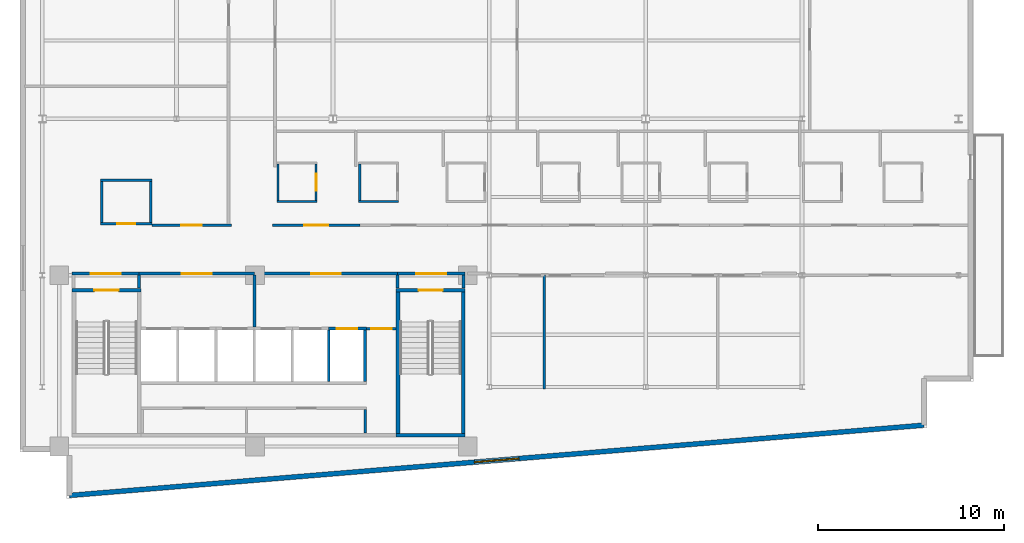
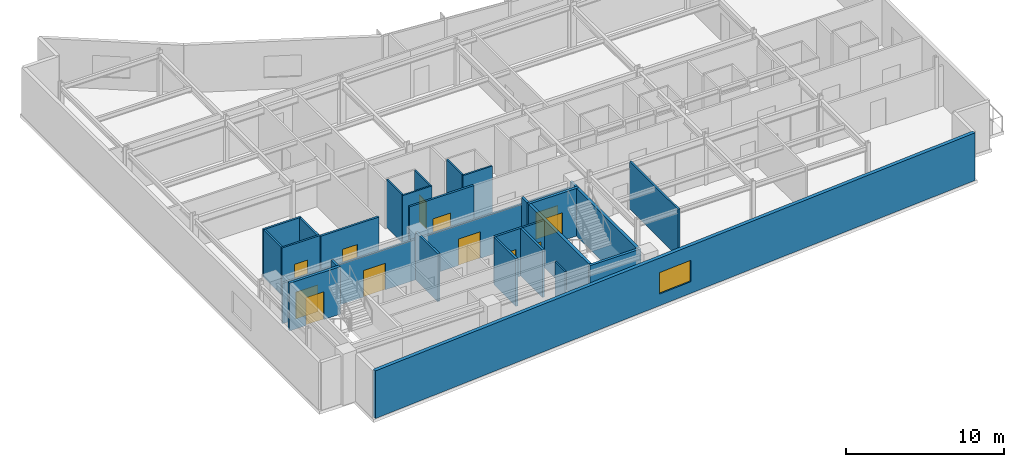
# One storey, part 9 of 15: 31 walls, 12 doors, 1 window, 13 openings.
"""IFC4 building model written with IfcOpenShell, lengths in metres."""

from ifc_helpers import new_model, si_unit, direction, frame, frame_2d, origin, place, context, subcontext, project, spatial, rectangle, extrude, material, layer, layer_set, type_object, element, fill, save


model = new_model("IFC4")

# Units and contexts
model_context = context("Model", 3, precision=1e-05, world=origin(), true_north=direction((0.0, 1.0)))
body_context = subcontext(model_context, "Body", "Model", "MODEL_VIEW")
ifc_project = project(units=[si_unit("LENGTHUNIT", "METRE"), si_unit("AREAUNIT", "SQUARE_METRE"), si_unit("VOLUMEUNIT", "CUBIC_METRE"), si_unit("PLANEANGLEUNIT", "RADIAN"), si_unit("MASSUNIT", "GRAM", prefix="KILO")], contexts=[model_context])

# Site, building, storey
site_placement = place(None, origin())
site = spatial("IfcSite", under=ifc_project, at=site_placement, CompositionType="ELEMENT")
building_placement = place(site_placement, origin())
building = spatial("IfcBuilding", under=site, at=building_placement, Name="Varnakote Quay Hospital", CompositionType="ELEMENT")
storey_placement = place(building_placement, frame((0.0, 0.0, 231.60009765625)))
storey = spatial("IfcBuildingStorey", under=building, at=storey_placement, Name="L57", CompositionType="ELEMENT", Elevation=231.60009765625)

# Wall, opening, door
ifc_material_1 = material(Name="Fire-rated acoustic gypsum stud wall", Category="gypsum")
ifc_layer_1 = layer(ifc_material_1, 0.159912109375)
ifc_layer_set_1 = layer_set([ifc_layer_1], Name="Fire-rated acoustic gypsum stud wall")
wall_type_1 = type_object("IfcWallType", Name="WL-COMP-160", PredefinedType="PARTITIONING", material=ifc_layer_set_1)
wall_1_placement = place(storey_placement, frame((2.800048828125, 12.080078125, 0.0), z_axis=(0.0, 0.0, 1.0), x_axis=(1.0, 0.0, 0.0)))
wall_1 = element("IfcWall", 1, at=wall_1_placement, inside=storey, type_object=wall_type_1, Name="L57 West Stair Vestibule Smoke Wall", PredefinedType="PARTITIONING", context=body_context, shape_type="SweptSolid", body=[
    extrude(rectangle(XDim=3.599853515625, YDim=0.159912109375, at=frame_2d((1.7998046875, 0.0))), origin(), (0.0, 0.0, 1.0), 3.11181640625),
])
opening_1_placement = place(wall_1_placement, frame((1.0, 0.0, 0.0)))
opening_1 = element("IfcOpeningElement", 2, at=opening_1_placement, cuts=wall_1, Name="Opening D-ST1L-L57", PredefinedType="OPENING", context=body_context, shape_type="SweptSolid", body=[
    extrude(rectangle(XDim=1.60009765625, YDim=2.050048828125, at=frame_2d((0.800048828125, 1.02490234375))), frame((0.0, 0.08984375, 0.0), z_axis=(0.0, -1.0, 0.0), x_axis=(1.0, 0.0, 0.0)), (0.0, 0.0, 1.0), 0.179931640625),
])
ifc_material_2 = material(Name="Fire-rated double smoke lobby door")
door_type_1 = type_object("IfcDoorType", Name="DR-LOBBY-FD60S-1600x2150", OperationType="NOTDEFINED", PredefinedType="DOOR", material=ifc_material_2)
door_1_placement = place(opening_1_placement, origin())
door_1 = element("IfcDoor", 3, at=door_1_placement, inside=storey, type_object=door_type_1, Name="L57 West Stair Vestibule Smoke Door", OperationType="DOUBLE_DOOR_SINGLE_SWING", OverallHeight=2.050048828125, OverallWidth=1.60009765625, PredefinedType="DOOR", context=body_context, shape_type="SweptSolid", body=[
    extrude(rectangle(XDim=1.60009765625, YDim=2.050048828125, at=frame_2d((0.800048828125, 1.02490234375))), frame((0.0, 0.02490234375, 0.0), z_axis=(0.0, -1.0, 0.0), x_axis=(1.0, 0.0, 0.0)), (0.0, 0.0, 1.0), 0.050048828125),
])
fill(opening_1, door_1)

# Wall
wall_2_placement = place(storey_placement, frame((6.39990234375, 11.300048828125, 0.0), z_axis=(0.0, 0.0, 1.0), x_axis=(0.0, 1.0, 0.0)))
element("IfcWall", 4, at=wall_2_placement, inside=storey, type_object=wall_type_1, Name="L57 Firefighting Lobby West Wall", PredefinedType="PARTITIONING", context=body_context, shape_type="SweptSolid", body=[
    extrude(rectangle(XDim=0.699951171875, YDim=0.159912109375, at=frame_2d((0.35009765625, 0.0))), origin(), (0.0, 0.0, 1.0), 3.669921875),
])

# Wall, opening, door
wall_3_placement = place(storey_placement, frame((6.39990234375, 12.080078125, 0.0), z_axis=(0.0, 0.0, 1.0), x_axis=(1.0, 0.0, 0.0)))
wall_3 = element("IfcWall", 5, at=wall_3_placement, inside=storey, type_object=wall_type_1, Name="L57 Firefighting Lift Lobby Compartment Wall", PredefinedType="PARTITIONING", context=body_context, shape_type="SweptSolid", body=[
    extrude(rectangle(XDim=6.18017578125, YDim=0.159912109375, at=frame_2d((3.090087890625, 0.0))), origin(), (0.0, 0.0, 1.0), 3.11181640625),
])
opening_2_placement = place(wall_3_placement, frame((2.2900390625, 0.0, 0.0)))
opening_2 = element("IfcOpeningElement", 6, at=opening_2_placement, cuts=wall_3, Name="Opening D-FFL-L57", PredefinedType="OPENING", context=body_context, shape_type="SweptSolid", body=[
    extrude(rectangle(XDim=1.60009765625, YDim=2.050048828125, at=frame_2d((0.800048828125, 1.02490234375))), frame((0.0, 0.08984375, 0.0), z_axis=(0.0, -1.0, 0.0), x_axis=(1.0, 0.0, 0.0)), (0.0, 0.0, 1.0), 0.179931640625),
])
door_2_placement = place(opening_2_placement, origin())
door_2 = element("IfcDoor", 7, at=door_2_placement, inside=storey, type_object=door_type_1, Name="L57 Firefighting Smoke Vestibule Door", OperationType="DOUBLE_DOOR_SINGLE_SWING", OverallHeight=2.050048828125, OverallWidth=1.60009765625, PredefinedType="DOOR", context=body_context, shape_type="SweptSolid", body=[
    extrude(rectangle(XDim=1.60009765625, YDim=2.050048828125, at=frame_2d((0.800048828125, 1.02490234375))), frame((0.0, 0.02490234375, 0.0), z_axis=(0.0, -1.0, 0.0), x_axis=(1.0, 0.0, 0.0)), (0.0, 0.0, 1.0), 0.050048828125),
])
fill(opening_2, door_2)

# Wall
wall_4_placement = place(storey_placement, frame((12.580078125, 9.2099609375, 0.0), z_axis=(0.0, 0.0, 1.0), x_axis=(0.0, 1.0, 0.0)))
element("IfcWall", 8, at=wall_4_placement, inside=storey, type_object=wall_type_1, Name="L57 Firefighting to Service Lobby Wall", PredefinedType="PARTITIONING", context=body_context, shape_type="SweptSolid", body=[
    extrude(rectangle(XDim=2.7900390625, YDim=0.159912109375, at=frame_2d((1.39501953125, 0.0))), origin(), (0.0, 0.0, 1.0), 3.669921875),
])

# Wall, opening, door
wall_5_placement = place(storey_placement, frame((12.580078125, 12.080078125, 0.0), z_axis=(0.0, 0.0, 1.0), x_axis=(1.0, 0.0, 0.0)))
wall_5 = element("IfcWall", 9, at=wall_5_placement, inside=storey, type_object=wall_type_1, Name="L57 Clinical Bed Lift Lobby Wall", PredefinedType="PARTITIONING", context=body_context, shape_type="SweptSolid", body=[
    extrude(rectangle(XDim=7.699951171875, YDim=0.159912109375, at=frame_2d((3.85009765625, 0.0))), origin(), (0.0, 0.0, 1.0), 3.11181640625),
])
opening_3_placement = place(wall_5_placement, frame((3.050048828125, 0.0, 0.0)))
opening_3 = element("IfcOpeningElement", 10, at=opening_3_placement, cuts=wall_5, Name="Opening D-SVL-L57", PredefinedType="OPENING", context=body_context, shape_type="SweptSolid", body=[
    extrude(rectangle(XDim=1.60009765625, YDim=2.050048828125, at=frame_2d((0.800048828125, 1.02490234375))), frame((0.0, 0.08984375, 0.0), z_axis=(0.0, -1.0, 0.0), x_axis=(1.0, 0.0, 0.0)), (0.0, 0.0, 1.0), 0.179931640625),
])
door_3_placement = place(opening_3_placement, origin())
door_3 = element("IfcDoor", 11, at=door_3_placement, inside=storey, type_object=door_type_1, Name="L57 Clinical Core Smoke Vestibule Door", OperationType="DOUBLE_DOOR_SINGLE_SWING", OverallHeight=2.050048828125, OverallWidth=1.60009765625, PredefinedType="DOOR", context=body_context, shape_type="SweptSolid", body=[
    extrude(rectangle(XDim=1.60009765625, YDim=2.050048828125, at=frame_2d((0.800048828125, 1.02490234375))), frame((0.0, 0.02490234375, 0.0), z_axis=(0.0, -1.0, 0.0), x_axis=(1.0, 0.0, 0.0)), (0.0, 0.0, 1.0), 0.050048828125),
])
fill(opening_3, door_3)

# Wall
wall_6_placement = place(storey_placement, frame((20.280029296875, 11.300048828125, 0.0), z_axis=(0.0, 0.0, 1.0), x_axis=(0.0, 1.0, 0.0)))
element("IfcWall", 12, at=wall_6_placement, inside=storey, type_object=wall_type_1, Name="L57 East Stair Vestibule Divider Wall", PredefinedType="PARTITIONING", context=body_context, shape_type="SweptSolid", body=[
    extrude(rectangle(XDim=0.699951171875, YDim=0.159912109375, at=frame_2d((0.35009765625, 0.0))), origin(), (0.0, 0.0, 1.0), 3.669921875),
])

# Wall, opening, door
wall_7_placement = place(storey_placement, frame((20.280029296875, 12.080078125, 0.0), z_axis=(0.0, 0.0, 1.0), x_axis=(1.0, 0.0, 0.0)))
wall_7 = element("IfcWall", 13, at=wall_7_placement, inside=storey, type_object=wall_type_1, Name="L57 East Stair Vestibule Smoke Wall", PredefinedType="PARTITIONING", context=body_context, shape_type="SweptSolid", body=[
    extrude(rectangle(XDim=3.619873046875, YDim=0.159912109375, at=frame_2d((1.81005859375, 0.0))), origin(), (0.0, 0.0, 1.0), 3.11181640625),
])
opening_4_placement = place(wall_7_placement, frame((1.010009765625, 0.0, 0.0)))
opening_4 = element("IfcOpeningElement", 14, at=opening_4_placement, cuts=wall_7, Name="Opening D-ST2L-L57", PredefinedType="OPENING", context=body_context, shape_type="SweptSolid", body=[
    extrude(rectangle(XDim=1.60009765625, YDim=2.050048828125, at=frame_2d((0.800048828125, 1.02490234375))), frame((0.0, 0.08984375, 0.0), z_axis=(0.0, -1.0, 0.0), x_axis=(1.0, 0.0, 0.0)), (0.0, 0.0, 1.0), 0.179931640625),
])
door_4_placement = place(opening_4_placement, origin())
door_4 = element("IfcDoor", 15, at=door_4_placement, inside=storey, type_object=door_type_1, Name="L57 East Stair Vestibule Smoke Door", OperationType="DOUBLE_DOOR_SINGLE_SWING", OverallHeight=2.050048828125, OverallWidth=1.60009765625, PredefinedType="DOOR", context=body_context, shape_type="SweptSolid", body=[
    extrude(rectangle(XDim=1.60009765625, YDim=2.050048828125, at=frame_2d((0.800048828125, 1.02490234375))), frame((0.0, 0.02490234375, 0.0), z_axis=(0.0, -1.0, 0.0), x_axis=(1.0, 0.0, 0.0)), (0.0, 0.0, 1.0), 0.050048828125),
])
fill(opening_4, door_4)

# Walls
wall_8_placement = place(storey_placement, frame((23.820068359375, 11.300048828125, 0.0), z_axis=(0.0, 0.0, 1.0), x_axis=(0.0, 1.0, 0.0)))
element("IfcWall", 16, at=wall_8_placement, inside=storey, type_object=wall_type_1, Name="L57 East Stair Vestibule East Wall", PredefinedType="PARTITIONING", context=body_context, shape_type="SweptSolid", body=[
    extrude(rectangle(XDim=0.699951171875, YDim=0.159912109375, at=frame_2d((0.35009765625, 0.0))), origin(), (0.0, 0.0, 1.0), 3.669921875),
])
ifc_material_3 = material(Name="Moisture-resistant bathroom partition", Category="gypsum")
ifc_layer_2 = layer(ifc_material_3, 0.114990234375)
ifc_layer_set_2 = layer_set([ifc_layer_2], Name="Moisture-resistant bathroom partition")
wall_type_2 = type_object("IfcWallType", Name="WL-ENS-115", PredefinedType="PARTITIONING", material=ifc_layer_set_2)
wall_9_placement = place(storey_placement, frame((13.804931640625, 15.952392578125, 0.0), z_axis=(0.0, 0.0, 1.0), x_axis=(1.0, 0.0, 0.0)))
element("IfcWall", 17, at=wall_9_placement, inside=storey, type_object=wall_type_2, Name="L57 Inpatient En-Suite Bathroom 01 S Wall", PredefinedType="PARTITIONING", context=body_context, shape_type="SweptSolid", body=[
    extrude(rectangle(XDim=2.150146484375, YDim=0.114990234375, at=frame_2d((1.0751953125, 0.0))), origin(), (0.0, 0.0, 1.0), 3.669921875),
])
wall_10_placement = place(storey_placement, frame((13.862548828125, 16.010009765625, 0.0), z_axis=(0.0, 0.0, 1.0), x_axis=(0.0, 1.0, 0.0)))
element("IfcWall", 18, at=wall_10_placement, inside=storey, type_object=wall_type_2, Name="L57 Inpatient En-Suite Bathroom 01 W Wall", PredefinedType="PARTITIONING", context=body_context, shape_type="SweptSolid", body=[
    extrude(rectangle(XDim=1.949951171875, YDim=0.114990234375, at=frame_2d((0.97509765625, 0.0))), origin(), (0.0, 0.0, 1.0), 3.669921875),
])

# Wall, opening, door
wall_11_placement = place(storey_placement, frame((15.8974609375, 16.010009765625, 0.0), z_axis=(0.0, 0.0, 1.0), x_axis=(0.0, 1.0, 0.0)))
wall_11 = element("IfcWall", 19, at=wall_11_placement, inside=storey, type_object=wall_type_2, Name="L57 Inpatient En-Suite Bathroom 01 E Wall", PredefinedType="PARTITIONING", context=body_context, shape_type="SweptSolid", body=[
    extrude(rectangle(XDim=1.949951171875, YDim=0.114990234375, at=frame_2d((0.97509765625, 0.0))), origin(), (0.0, 0.0, 1.0), 3.669921875),
])
opening_5_placement = place(wall_11_placement, frame((0.514892578125, 0.0, 0.0)))
opening_5 = element("IfcOpeningElement", 20, at=opening_5_placement, cuts=wall_11, Name="Opening D-L57-ENS01", PredefinedType="OPENING", context=body_context, shape_type="SweptSolid", body=[
    extrude(rectangle(XDim=0.919921875, YDim=2.10009765625, at=frame_2d((0.4599609375, 1.050048828125))), frame((0.0, 0.0673828125, 0.0), z_axis=(0.0, -1.0, 0.0), x_axis=(1.0, 0.0, 0.0)), (0.0, 0.0, 1.0), 0.135009765625),
])
ifc_material_4 = material(Name="Moisture-sealed en-suite bathroom door")
door_type_2 = type_object("IfcDoorType", Name="DR-ENS-920x2100", OperationType="NOTDEFINED", PredefinedType="DOOR", material=ifc_material_4)
door_5_placement = place(opening_5_placement, origin())
door_5 = element("IfcDoor", 21, at=door_5_placement, inside=storey, type_object=door_type_2, Name="L57 Inpatient En-Suite Bathroom 01 Door", OperationType="SINGLE_SWING_LEFT", OverallHeight=2.10009765625, OverallWidth=0.919921875, PredefinedType="DOOR", context=body_context, shape_type="SweptSolid", body=[
    extrude(rectangle(XDim=0.919921875, YDim=2.10009765625, at=frame_2d((0.4599609375, 1.050048828125))), frame((0.0, 0.02490234375, 0.0), z_axis=(0.0, -1.0, 0.0), x_axis=(1.0, 0.0, 0.0)), (0.0, 0.0, 1.0), 0.050048828125),
])
fill(opening_5, door_5)

# Walls
wall_12_placement = place(storey_placement, frame((18.18505859375, 15.952392578125, 0.0), z_axis=(0.0, 0.0, 1.0), x_axis=(1.0, 0.0, 0.0)))
element("IfcWall", 22, at=wall_12_placement, inside=storey, type_object=wall_type_2, Name="L57 Inpatient En-Suite Bathroom 02 S Wall", PredefinedType="PARTITIONING", context=body_context, shape_type="SweptSolid", body=[
    extrude(rectangle(XDim=2.14990234375, YDim=0.114990234375, at=frame_2d((1.074951171875, 0.0))), origin(), (0.0, 0.0, 1.0), 3.669921875),
])
wall_13_placement = place(storey_placement, frame((18.242431640625, 16.010009765625, 0.0), z_axis=(0.0, 0.0, 1.0), x_axis=(0.0, 1.0, 0.0)))
element("IfcWall", 23, at=wall_13_placement, inside=storey, type_object=wall_type_2, Name="L57 Inpatient En-Suite Bathroom 02 W Wall", PredefinedType="PARTITIONING", context=body_context, shape_type="SweptSolid", body=[
    extrude(rectangle(XDim=1.949951171875, YDim=0.114990234375, at=frame_2d((0.97509765625, 0.0))), origin(), (0.0, 0.0, 1.0), 3.669921875),
])

# Wall, opening, window
ifc_material_5 = material(Name="Precast concrete N50 (f'c 50 MPa)", Category="concrete")
ifc_layer_3 = layer(ifc_material_5, 0.260009765625)
ifc_layer_set_3 = layer_set([ifc_layer_3], Name="Precast concrete N50 (f'c 50 MPa)")
wall_type_3 = type_object("IfcWallType", Name="WL-EXT-BRICK-260", PredefinedType="STANDARD", material=ifc_layer_set_3)
wall_14_placement = place(storey_placement, frame((2.659912109375, 0.173583984375, 0.0), z_axis=(0.0, 0.0, 1.0), x_axis=(0.996634028439, 0.081979347142, 0.0)))
wall_14 = element("IfcWall", 24, at=wall_14_placement, inside=storey, type_object=wall_type_3, Name="L57 Brick-Faced Precast Exterior Wall", PredefinedType="STANDARD", context=body_context, shape_type="SweptSolid", body=[
    extrude(rectangle(XDim=46.03515625, YDim=0.260009765625, at=frame_2d((23.017578125, 0.0))), origin(), (0.0, 0.0, 1.0), 3.669921875),
])
opening_6_placement = place(wall_14_placement, frame((21.8173828125, 0.0, 0.89990234375)))
opening_6 = element("IfcOpeningElement", 25, at=opening_6_placement, cuts=wall_14, Name="Opening WN-0234", PredefinedType="OPENING", context=body_context, shape_type="SweptSolid", body=[
    extrude(rectangle(XDim=2.39990234375, YDim=1.64990234375, at=frame_2d((1.199951171875, 0.824951171875))), frame((0.0, 0.139892578125, 0.0), z_axis=(0.0, -1.0, 0.0), x_axis=(1.0, 0.0, 0.0)), (0.0, 0.0, 1.0), 0.280029296875),
])
ifc_material_6 = material(Name="Double-glazed low-E solar glass", Category="glass")
window_type = type_object("IfcWindowType", Name="WIN-CLIN-2400x1650", PartitioningType="SINGLE_PANEL", PredefinedType="WINDOW", material=ifc_material_6)
window_placement = place(opening_6_placement, origin())
window = element("IfcWindow", 26, at=window_placement, inside=storey, type_object=window_type, Name="L57 Solar-Control Clinical Window", OverallHeight=1.64990234375, OverallWidth=2.39990234375, PartitioningType="SINGLE_PANEL", PredefinedType="WINDOW", context=body_context, shape_type="SweptSolid", body=[
    extrude(rectangle(XDim=2.39990234375, YDim=1.64990234375, at=frame_2d((1.199951171875, 0.824951171875))), frame((0.0, 0.030029296875, 0.0), z_axis=(0.0, -1.0, 0.0), x_axis=(1.0, 0.0, 0.0)), (0.0, 0.0, 1.0), 0.06005859375),
])
fill(opening_6, window)

# Walls
ifc_material_7 = material(Name="Concrete N50 (f'c 50 MPa)", Category="concrete")
ifc_layer_4 = layer(ifc_material_7, 0.14990234375)
ifc_layer_set_4 = layer_set([ifc_layer_4], Name="Concrete N50 (f'c 50 MPa)")
wall_type_4 = type_object("IfcWallType", Name="WL-SHAFT-N50-150", PredefinedType="SHEAR", material=ifc_layer_set_4)
wall_15_placement = place(storey_placement, frame((16.574951171875, 6.300048828125, 0.0), z_axis=(0.0, 0.0, 1.0), x_axis=(0.0, 1.0, 0.0)))
element("IfcWall", 27, at=wall_15_placement, inside=storey, type_object=wall_type_4, Name="L57 LF-PH1 Hoistway Divider Wall", PredefinedType="SHEAR", context=body_context, shape_type="SweptSolid", body=[
    extrude(rectangle(XDim=2.75, YDim=0.14990234375, at=frame_2d((1.375, 0.0))), origin(), (0.0, 0.0, 1.0), 3.669921875),
])
ifc_material_8 = material(Name="Concrete N50 (f'c 50 MPa)", Category="concrete")
ifc_layer_5 = layer(ifc_material_8, 0.159912109375)
ifc_layer_set_5 = layer_set([ifc_layer_5], Name="Concrete N50 (f'c 50 MPa)")
wall_type_5 = type_object("IfcWallType", Name="WL-SHAFT-N50-160", PredefinedType="SHEAR", material=ifc_layer_set_5)
wall_16_placement = place(storey_placement, frame((18.530029296875, 6.300048828125, 0.0), z_axis=(0.0, 0.0, 1.0), x_axis=(0.0, 1.0, 0.0)))
element("IfcWall", 28, at=wall_16_placement, inside=storey, type_object=wall_type_5, Name="L57 REAR Lift Bank East Shear Wall", PredefinedType="SHEAR", context=body_context, shape_type="SweptSolid", body=[
    extrude(rectangle(XDim=2.75, YDim=0.159912109375, at=frame_2d((1.375, 0.0))), origin(), (0.0, 0.0, 1.0), 3.669921875),
])

# Wall, opening, door
wall_17_placement = place(storey_placement, frame((16.574951171875, 9.1298828125, 0.0), z_axis=(0.0, 0.0, 1.0), x_axis=(1.0, 0.0, 0.0)))
wall_17 = element("IfcWall", 29, at=wall_17_placement, inside=storey, type_object=wall_type_5, Name="L57 LF-PH2 Hoistway Front Wall", PredefinedType="SHEAR", context=body_context, shape_type="SweptSolid", body=[
    extrude(rectangle(XDim=2.03515625, YDim=0.159912109375, at=frame_2d((1.017578125, 0.0))), origin(), (0.0, 0.0, 1.0), 3.669921875),
])
opening_7_placement = place(wall_17_placement, frame((0.425048828125, 0.0, 0.0)))
opening_7 = element("IfcOpeningElement", 30, at=opening_7_placement, cuts=wall_17, Name="Opening LD-PH2-L57", PredefinedType="OPENING", context=body_context, shape_type="SweptSolid", body=[
    extrude(rectangle(XDim=1.10009765625, YDim=2.14990234375, at=frame_2d((0.550048828125, 1.074951171875))), frame((0.0, 0.08984375, 0.0), z_axis=(0.0, -1.0, 0.0), x_axis=(1.0, 0.0, 0.0)), (0.0, 0.0, 1.0), 0.179931640625),
])
ifc_material_9 = material(Name="Brushed bronze lift landing sliding door")
door_type_3 = type_object("IfcDoorType", Name="DR-LIFT-LD-1100x2150", OperationType="NOTDEFINED", PredefinedType="DOOR", material=ifc_material_9)
door_6_placement = place(opening_7_placement, origin())
door_6 = element("IfcDoor", 31, at=door_6_placement, inside=storey, type_object=door_type_3, Name="L57 LF-PH2 Lift Landing Sliding Door", OperationType="SLIDING_TO_LEFT", OverallHeight=2.14990234375, OverallWidth=1.10009765625, PredefinedType="DOOR", context=body_context, shape_type="SweptSolid", body=[
    extrude(rectangle(XDim=1.10009765625, YDim=2.14990234375, at=frame_2d((0.550048828125, 1.074951171875))), frame((0.0, 0.02490234375, 0.0), z_axis=(0.0, -1.0, 0.0), x_axis=(1.0, 0.0, 0.0)), (0.0, 0.0, 1.0), 0.050048828125),
])
fill(opening_7, door_6)

ifc_material_10 = material(Name="Concrete N50 (f'c 50 MPa)", Category="concrete")
ifc_layer_6 = layer(ifc_material_10, 0.199951171875)
ifc_layer_set_6 = layer_set([ifc_layer_6], Name="Concrete N50 (f'c 50 MPa)")
wall_type_6 = type_object("IfcWallType", Name="WL-SHAFT-N50-200", PredefinedType="SHEAR", material=ifc_layer_set_6)
wall_18_placement = place(storey_placement, frame((2.800048828125, 11.199951171875, 0.0), z_axis=(0.0, 0.0, 1.0), x_axis=(1.0, 0.0, 0.0)))
wall_18 = element("IfcWall", 32, at=wall_18_placement, inside=storey, type_object=wall_type_6, Name="L57 Stair ST1 Exit Wall", PredefinedType="SHEAR", context=body_context, shape_type="SweptSolid", body=[
    extrude(rectangle(XDim=3.699951171875, YDim=0.199951171875, at=frame_2d((1.85009765625, 0.0))), origin(), (0.0, 0.0, 1.0), 3.669921875),
])
opening_8_placement = place(wall_18_placement, frame((1.199951171875, 0.0, 0.0)))
opening_8 = element("IfcOpeningElement", 33, at=opening_8_placement, cuts=wall_18, Name="Opening D-ST1-L57", PredefinedType="OPENING", context=body_context, shape_type="SweptSolid", body=[
    extrude(rectangle(XDim=1.300048828125, YDim=2.14990234375, at=frame_2d((0.64990234375, 1.074951171875))), frame((0.0, 0.10986328125, 0.0), z_axis=(0.0, -1.0, 0.0), x_axis=(1.0, 0.0, 0.0)), (0.0, 0.0, 1.0), 0.219970703125),
])
ifc_material_11 = material(Name="Fire-rated ceramic-glazed timber exit door", Category="wood")
door_type_4 = type_object("IfcDoorType", Name="DR-STAIR-FD60S-1300x2150", OperationType="NOTDEFINED", PredefinedType="DOOR", material=ifc_material_11)
door_7_placement = place(opening_8_placement, origin())
door_7 = element("IfcDoor", 34, at=door_7_placement, inside=storey, type_object=door_type_4, Name="L57 Stair ST1 Fire Exit Door", OperationType="SINGLE_SWING_LEFT", OverallHeight=2.14990234375, OverallWidth=1.300048828125, PredefinedType="DOOR", context=body_context, shape_type="SweptSolid", body=[
    extrude(rectangle(XDim=1.300048828125, YDim=2.14990234375, at=frame_2d((0.64990234375, 1.074951171875))), frame((0.0, 0.02490234375, 0.0), z_axis=(0.0, -1.0, 0.0), x_axis=(1.0, 0.0, 0.0)), (0.0, 0.0, 1.0), 0.050048828125),
])
fill(opening_8, door_7)

# Walls
wall_19_placement = place(storey_placement, frame((20.199951171875, 3.39990234375, 0.0), z_axis=(0.0, 0.0, 1.0), x_axis=(1.0, 0.0, 0.0)))
element("IfcWall", 35, at=wall_19_placement, inside=storey, type_object=wall_type_6, Name="L57 Stair ST2 South Shaft Wall", PredefinedType="SHEAR", context=body_context, shape_type="SweptSolid", body=[
    extrude(rectangle(XDim=3.699951171875, YDim=0.199951171875, at=frame_2d((1.85009765625, 0.0))), origin(), (0.0, 0.0, 1.0), 3.669921875),
])
for number, where, z_axis, x_axis, name in (
    (36, (20.300048828125, 3.5, 0.0), (0.0, 0.0, 1.0), (0.0, 1.0, 0.0), "L57 Stair ST2 West Shaft Wall"),
    (37, (23.800048828125, 3.5, 0.0), (0.0, 0.0, 1.0), (0.0, 1.0, 0.0), "L57 Stair ST2 East Shaft Wall"),
):
    element("IfcWall", number, at=place(storey_placement, frame(where, z_axis=z_axis, x_axis=x_axis)), inside=storey, type_object=wall_type_6, Name=name, PredefinedType="SHEAR", context=body_context, shape_type="SweptSolid", body=[
        extrude(rectangle(XDim=7.60009765625, YDim=0.199951171875, at=frame_2d((3.800048828125, 0.0))), origin(), (0.0, 0.0, 1.0), 3.669921875),
    ])

# Wall, opening, door
wall_20_placement = place(storey_placement, frame((20.199951171875, 11.199951171875, 0.0), z_axis=(0.0, 0.0, 1.0), x_axis=(1.0, 0.0, 0.0)))
wall_20 = element("IfcWall", 38, at=wall_20_placement, inside=storey, type_object=wall_type_6, Name="L57 Stair ST2 Exit Wall", PredefinedType="SHEAR", context=body_context, shape_type="SweptSolid", body=[
    extrude(rectangle(XDim=3.699951171875, YDim=0.199951171875, at=frame_2d((1.85009765625, 0.0))), origin(), (0.0, 0.0, 1.0), 3.669921875),
])
opening_9_placement = place(wall_20_placement, frame((1.199951171875, 0.0, 0.0)))
opening_9 = element("IfcOpeningElement", 39, at=opening_9_placement, cuts=wall_20, Name="Opening D-ST2-L57", PredefinedType="OPENING", context=body_context, shape_type="SweptSolid", body=[
    extrude(rectangle(XDim=1.300048828125, YDim=2.14990234375, at=frame_2d((0.64990234375, 1.074951171875))), frame((0.0, 0.10986328125, 0.0), z_axis=(0.0, -1.0, 0.0), x_axis=(1.0, 0.0, 0.0)), (0.0, 0.0, 1.0), 0.219970703125),
])
door_8_placement = place(opening_9_placement, origin())
door_8 = element("IfcDoor", 40, at=door_8_placement, inside=storey, type_object=door_type_4, Name="L57 Stair ST2 Fire Exit Door", OperationType="SINGLE_SWING_RIGHT", OverallHeight=2.14990234375, OverallWidth=1.300048828125, PredefinedType="DOOR", context=body_context, shape_type="SweptSolid", body=[
    extrude(rectangle(XDim=1.300048828125, YDim=2.14990234375, at=frame_2d((0.64990234375, 1.074951171875))), frame((0.0, 0.02490234375, 0.0), z_axis=(0.0, -1.0, 0.0), x_axis=(1.0, 0.0, 0.0)), (0.0, 0.0, 1.0), 0.050048828125),
])
fill(opening_9, door_8)

# Walls
ifc_material_12 = material(Name="Smoke-proof clinical partition", Category="gypsum")
ifc_layer_7 = layer(ifc_material_12, 0.1201171875)
ifc_layer_set_7 = layer_set([ifc_layer_7], Name="Smoke-proof clinical partition")
wall_type_7 = type_object("IfcWallType", Name="WL-SMOKE-120", PredefinedType="PARTITIONING", material=ifc_layer_set_7)
wall_21_placement = place(storey_placement, frame((18.5400390625, 3.52001953125, 0.0), z_axis=(0.0, 0.0, 1.0), x_axis=(0.0, 1.0, 0.0)))
element("IfcWall", 41, at=wall_21_placement, inside=storey, type_object=wall_type_7, Name="L57 Core South Service East Wall", PredefinedType="PARTITIONING", context=body_context, shape_type="SweptSolid", body=[
    extrude(rectangle(XDim=1.260009765625, YDim=0.1201171875, at=frame_2d((0.6298828125, 0.0))), origin(), (0.0, 0.0, 1.0), 3.669921875),
])
ifc_material_13 = material(Name="Smoke-proof clinical partition", Category="gypsum")
ifc_layer_8 = layer(ifc_material_13, 0.135009765625)
ifc_layer_set_8 = layer_set([ifc_layer_8], Name="Smoke-proof clinical partition")
wall_type_8 = type_object("IfcWallType", Name="WL-SMOKE-135", PredefinedType="PARTITIONING", material=ifc_layer_set_8)
wall_22_placement = place(storey_placement, frame((28.159912109375, 5.89990234375, 0.0), z_axis=(0.0, 0.0, 1.0), x_axis=(0.0, 1.0, 0.0)))
element("IfcWall", 42, at=wall_22_placement, inside=storey, type_object=wall_type_8, Name="L57 Clinical Interior Partition", PredefinedType="PARTITIONING", context=body_context, shape_type="SweptSolid", body=[
    extrude(rectangle(XDim=6.10009765625, YDim=0.135009765625, at=frame_2d((3.050048828125, 0.0))), origin(), (0.0, 0.0, 1.0), 3.669921875),
])

# Wall, opening, door
ifc_material_14 = material(Name="Fire-rated clinical gypsum partition", Category="gypsum")
ifc_layer_9 = layer(ifc_material_14, 0.139892578125)
ifc_layer_set_9 = layer_set([ifc_layer_9], Name="Fire-rated clinical gypsum partition")
wall_type_9 = type_object("IfcWallType", Name="WL-WARD-140", PredefinedType="PARTITIONING", material=ifc_layer_set_9)
wall_23_placement = place(storey_placement, frame((18.610107421875, 9.1298828125, 0.0), z_axis=(0.0, 0.0, 1.0), x_axis=(1.0, 0.0, 0.0)))
wall_23 = element("IfcWall", 43, at=wall_23_placement, inside=storey, type_object=wall_type_9, Name="L57 Core Service Corridor North Door Wall", PredefinedType="PARTITIONING", context=body_context, shape_type="SweptSolid", body=[
    extrude(rectangle(XDim=1.58984375, YDim=0.139892578125, at=frame_2d((0.794921875, 0.0))), origin(), (0.0, 0.0, 1.0), 3.669921875),
])
opening_10_placement = place(wall_23_placement, frame((0.239990234375, 0.0, 0.0)))
opening_10 = element("IfcOpeningElement", 44, at=opening_10_placement, cuts=wall_23, Name="Opening D-CSRV-L57", PredefinedType="OPENING", context=body_context, shape_type="SweptSolid", body=[
    extrude(rectangle(XDim=1.10009765625, YDim=2.10009765625, at=frame_2d((0.550048828125, 1.050048828125))), frame((0.0, 0.079833984375, 0.0), z_axis=(0.0, -1.0, 0.0), x_axis=(1.0, 0.0, 0.0)), (0.0, 0.0, 1.0), 0.159912109375),
])
ifc_material_15 = material(Name="Acoustic timber clinical consult door", Category="wood")
door_type_5 = type_object("IfcDoorType", Name="DR-CLIN-FD30S-1100x2100", OperationType="NOTDEFINED", PredefinedType="DOOR", material=ifc_material_15)
door_9_placement = place(opening_10_placement, origin())
door_9 = element("IfcDoor", 45, at=door_9_placement, inside=storey, type_object=door_type_5, Name="L57 Core Service Corridor Door", OperationType="SINGLE_SWING_LEFT", OverallHeight=2.10009765625, OverallWidth=1.10009765625, PredefinedType="DOOR", context=body_context, shape_type="SweptSolid", body=[
    extrude(rectangle(XDim=1.10009765625, YDim=2.10009765625, at=frame_2d((0.550048828125, 1.050048828125))), frame((0.0, 0.02490234375, 0.0), z_axis=(0.0, -1.0, 0.0), x_axis=(1.0, 0.0, 0.0)), (0.0, 0.0, 1.0), 0.050048828125),
])
fill(opening_10, door_9)

wall_24_placement = place(storey_placement, frame((4.31005859375, 14.77001953125, 0.0), z_axis=(0.0, 0.0, 1.0), x_axis=(1.0, 0.0, 0.0)))
wall_24 = element("IfcWall", 46, at=wall_24_placement, inside=storey, type_object=wall_type_9, Name="L57 Floor Unisex Accessible WC S Wall", PredefinedType="PARTITIONING", context=body_context, shape_type="SweptSolid", body=[
    extrude(rectangle(XDim=2.780029296875, YDim=0.139892578125, at=frame_2d((1.39013671875, 0.0))), origin(), (0.0, 0.0, 1.0), 3.669921875),
])
opening_11_placement = place(wall_24_placement, frame((0.89990234375, 0.0, 0.0)))
opening_11 = element("IfcOpeningElement", 47, at=opening_11_placement, cuts=wall_24, Name="Opening D-L57-EW01", PredefinedType="OPENING", context=body_context, shape_type="SweptSolid", body=[
    extrude(rectangle(XDim=0.97998046875, YDim=2.10009765625, at=frame_2d((0.489990234375, 1.050048828125))), frame((0.0, 0.079833984375, 0.0), z_axis=(0.0, -1.0, 0.0), x_axis=(1.0, 0.0, 0.0)), (0.0, 0.0, 1.0), 0.159912109375),
])
ifc_material_16 = material(Name="Accessible sanitary compartment door")
door_type_6 = type_object("IfcDoorType", Name="DR-WC-980x2100", OperationType="NOTDEFINED", PredefinedType="DOOR", material=ifc_material_16)
door_10_placement = place(opening_11_placement, origin())
door_10 = element("IfcDoor", 48, at=door_10_placement, inside=storey, type_object=door_type_6, Name="L57 Floor Unisex Accessible WC Door", OperationType="SINGLE_SWING_RIGHT", OverallHeight=2.10009765625, OverallWidth=0.97998046875, PredefinedType="DOOR", context=body_context, shape_type="SweptSolid", body=[
    extrude(rectangle(XDim=0.97998046875, YDim=2.10009765625, at=frame_2d((0.489990234375, 1.050048828125))), frame((0.0, 0.02490234375, 0.0), z_axis=(0.0, -1.0, 0.0), x_axis=(1.0, 0.0, 0.0)), (0.0, 0.0, 1.0), 0.050048828125),
])
fill(opening_11, door_10)

# Walls
wall_25_placement = place(storey_placement, frame((4.31005859375, 17.110107421875, 0.0), z_axis=(0.0, 0.0, 1.0), x_axis=(1.0, 0.0, 0.0)))
element("IfcWall", 49, at=wall_25_placement, inside=storey, type_object=wall_type_9, Name="L57 Floor Unisex Accessible WC N Wall", PredefinedType="PARTITIONING", context=body_context, shape_type="SweptSolid", body=[
    extrude(rectangle(XDim=2.780029296875, YDim=0.139892578125, at=frame_2d((1.39013671875, 0.0))), origin(), (0.0, 0.0, 1.0), 3.669921875),
])
for number, where, z_axis, x_axis, name in (
    (50, (4.3798828125, 14.840087890625, 0.0), (0.0, 0.0, 1.0), (0.0, 1.0, 0.0), "L57 Floor Unisex Accessible WC W Wall"),
    (51, (7.02001953125, 14.840087890625, 0.0), (0.0, 0.0, 1.0), (0.0, 1.0, 0.0), "L57 Floor Unisex Accessible WC E Wall"),
):
    element("IfcWall", number, at=place(storey_placement, frame(where, z_axis=z_axis, x_axis=x_axis)), inside=storey, type_object=wall_type_9, Name=name, PredefinedType="PARTITIONING", context=body_context, shape_type="SweptSolid", body=[
        extrude(rectangle(XDim=2.199951171875, YDim=0.139892578125, at=frame_2d((1.10009765625, 0.0))), origin(), (0.0, 0.0, 1.0), 3.669921875),
    ])

# Wall, opening, door
ifc_material_17 = material(Name="Fire-rated clinical gypsum partition", Category="gypsum")
ifc_layer_10 = layer(ifc_material_17, 0.14990234375)
ifc_layer_set_10 = layer_set([ifc_layer_10], Name="Fire-rated clinical gypsum partition")
wall_type_10 = type_object("IfcWallType", Name="WL-WARD-150", PredefinedType="PARTITIONING", material=ifc_layer_set_10)
wall_26_placement = place(storey_placement, frame((11.345947265625, 14.679931640625, 0.0), z_axis=(0.0, 0.0, 1.0), x_axis=(-1.0, 0.0, 0.0)))
wall_26 = element("IfcWall", 52, at=wall_26_placement, inside=storey, type_object=wall_type_10, Name="L57 Clinical Interior Partition", PredefinedType="PARTITIONING", context=body_context, shape_type="SweptSolid", body=[
    extrude(rectangle(XDim=4.25390625, YDim=0.14990234375, at=frame_2d((2.126953125, 0.0))), origin(), (0.0, 0.0, 1.0), 3.669921875),
])
opening_12_placement = place(wall_26_placement, frame((1.576904296875, 0.0, 0.0)))
opening_12 = element("IfcOpeningElement", 53, at=opening_12_placement, cuts=wall_26, Name="Opening D-L57-MD01", PredefinedType="OPENING", context=body_context, shape_type="SweptSolid", body=[
    extrude(rectangle(XDim=1.10009765625, YDim=2.10009765625, at=frame_2d((0.550048828125, 1.050048828125))), frame((0.0, 0.0849609375, 0.0), z_axis=(0.0, -1.0, 0.0), x_axis=(1.0, 0.0, 0.0)), (0.0, 0.0, 1.0), 0.169921875),
])
door_11_placement = place(opening_12_placement, origin())
door_11 = element("IfcDoor", 54, at=door_11_placement, inside=storey, type_object=door_type_5, Name="L57 Outpatient Specialist Consult Office Door", OperationType="SINGLE_SWING_RIGHT", OverallHeight=2.10009765625, OverallWidth=1.10009765625, PredefinedType="DOOR", context=body_context, shape_type="SweptSolid", body=[
    extrude(rectangle(XDim=1.10009765625, YDim=2.10009765625, at=frame_2d((0.550048828125, 1.050048828125))), frame((0.0, 0.02490234375, 0.0), z_axis=(0.0, -1.0, 0.0), x_axis=(1.0, 0.0, 0.0)), (0.0, 0.0, 1.0), 0.050048828125),
])
fill(opening_12, door_11)

wall_27_placement = place(storey_placement, frame((18.26611328125, 14.679931640625, 0.0), z_axis=(0.0, 0.0, 1.0), x_axis=(-1.0, 0.0, 0.0)))
wall_27 = element("IfcWall", 55, at=wall_27_placement, inside=storey, type_object=wall_type_10, Name="L57 Clinical Interior Partition", PredefinedType="PARTITIONING", context=body_context, shape_type="SweptSolid", body=[
    extrude(rectangle(XDim=4.712158203125, YDim=0.14990234375, at=frame_2d((2.35595703125, 0.0))), origin(), (0.0, 0.0, 1.0), 3.669921875),
])
opening_13_placement = place(wall_27_placement, frame((1.7060546875, 0.0, 0.0)))
opening_13 = element("IfcOpeningElement", 56, at=opening_13_placement, cuts=wall_27, Name="Opening D-L57-BR01", PredefinedType="OPENING", context=body_context, shape_type="SweptSolid", body=[
    extrude(rectangle(XDim=1.300048828125, YDim=2.14990234375, at=frame_2d((0.64990234375, 1.074951171875))), frame((0.0, 0.0849609375, 0.0), z_axis=(0.0, -1.0, 0.0), x_axis=(1.0, 0.0, 0.0)), (0.0, 0.0, 1.0), 0.169921875),
])
ifc_material_18 = material(Name="Solid-core timber clinical bed door", Category="wood")
door_type_7 = type_object("IfcDoorType", Name="DR-WARD-FD30S-1300x2150", OperationType="NOTDEFINED", PredefinedType="DOOR", material=ifc_material_18)
door_12_placement = place(opening_13_placement, origin())
door_12 = element("IfcDoor", 57, at=door_12_placement, inside=storey, type_object=door_type_7, Name="L57 Resident Care Bedroom 01 Door", OperationType="SINGLE_SWING_LEFT", OverallHeight=2.14990234375, OverallWidth=1.300048828125, PredefinedType="DOOR", context=body_context, shape_type="SweptSolid", body=[
    extrude(rectangle(XDim=1.300048828125, YDim=2.14990234375, at=frame_2d((0.64990234375, 1.074951171875))), frame((0.0, 0.02490234375, 0.0), z_axis=(0.0, -1.0, 0.0), x_axis=(1.0, 0.0, 0.0)), (0.0, 0.0, 1.0), 0.050048828125),
])
fill(opening_13, door_12)

save(model, "model.ifc")
